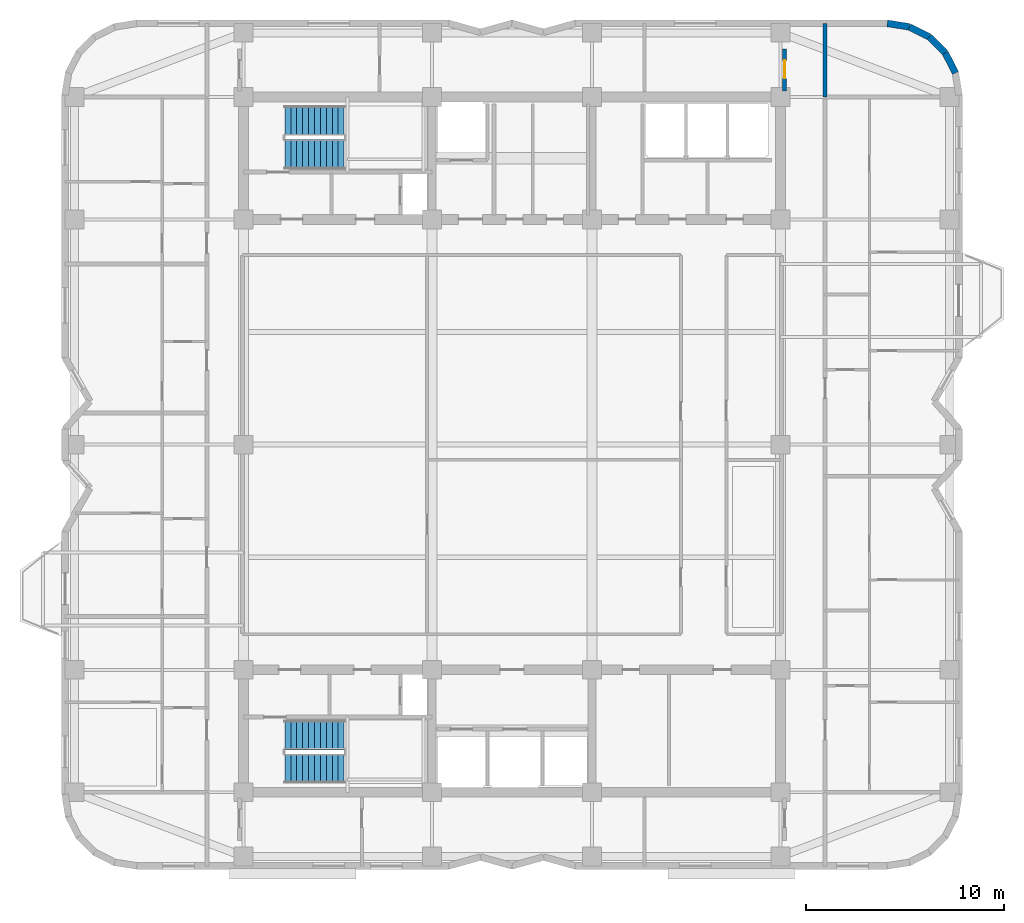
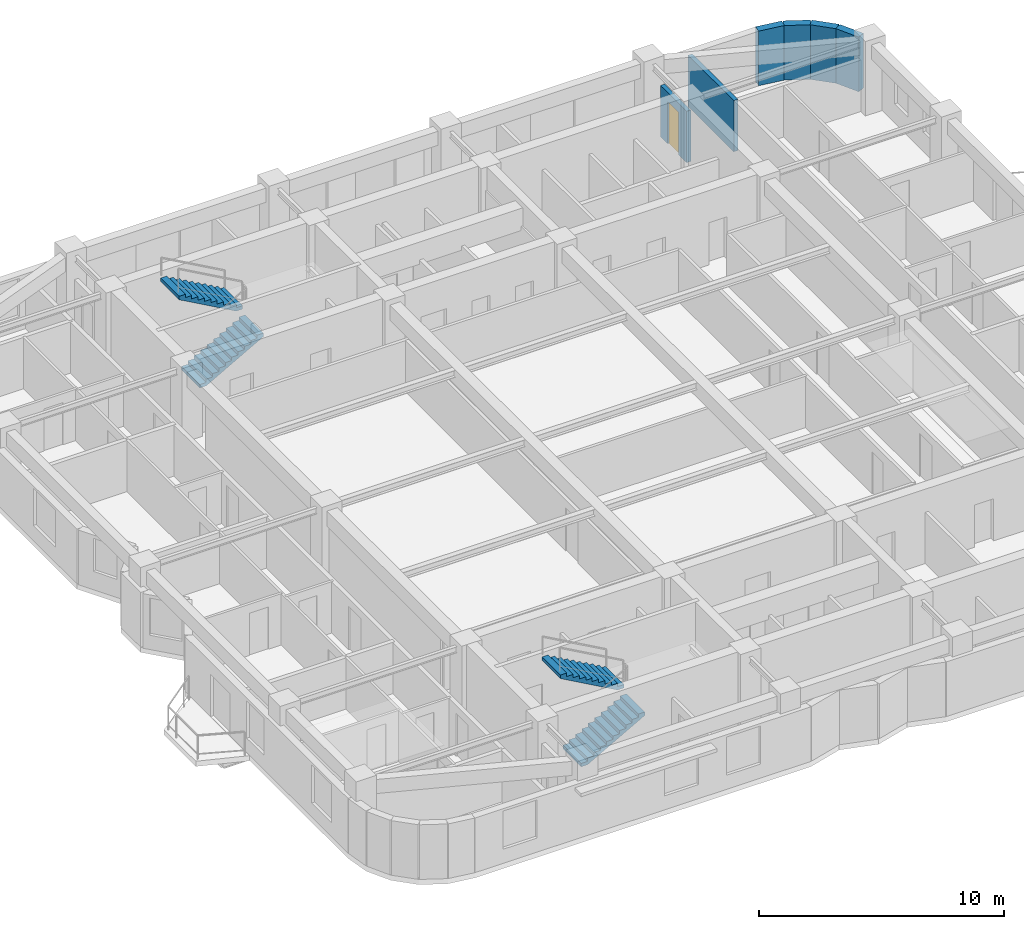
# One storey, part 7 of 9: 6 walls, 4 stair flights, 1 door, 1 opening, 2 elements without a shape of their own.
"""IFC4 building model written with IfcOpenShell, lengths in metres."""

import ifcopenshell
import ifcopenshell.guid

model = None  # the IFC model being written
_history = None  # IfcOwnerHistory: only IFC2X3 demands one
_inside = {}  # id of a spatial element -> (the spatial element, [elements in it])
_under = {}  # id of a project, library or spatial element -> (it, [spatial elements below it])
_declared = {}  # id of a project -> (the project, [libraries it declares])
_typed = {}  # id of a type object -> (the type object, [elements of that type])
_made_of = {}  # id of a material, layer set ... -> (it, [elements and type objects made of it])


def new_model(schema):
    """Start an empty IFC model of exactly this schema.

    Asked for "IFC4X3", IfcOpenShell would pick the latest addendum, in which some entities
    have other attributes; the version numbers below select the first issue.
    IFC2X3 requires an IfcOwnerHistory on every rooted entity: one is made here for all.
    """
    global model, _history
    if schema == "IFC4X3":
        model = ifcopenshell.file(schema_version=(4, 3, 0, 0))
    else:
        model = ifcopenshell.file(schema=schema)
    _inside.clear()
    _under.clear()
    _declared.clear()
    _typed.clear()
    _made_of.clear()
    _history = None
    if model.schema == "IFC2X3":
        org = make("IfcOrganization", Name="unknown")
        user = make(
            "IfcPersonAndOrganization",
            ThePerson=make("IfcPerson", FamilyName="unknown"),
            TheOrganization=org,
        )
        app = make(
            "IfcApplication",
            ApplicationDeveloper=org,
            Version="unknown",
            ApplicationFullName="unknown",
            ApplicationIdentifier="unknown",
        )
        _history = make(
            "IfcOwnerHistory",
            OwningUser=user,
            OwningApplication=app,
            ChangeAction="ADDED",
            CreationDate=0,
        )
    return model


def make(cls, **values):
    """One entity of the class cls with the attributes given. An attribute that is None is left unset."""
    return model.create_entity(
        cls, **{name: value for name, value in values.items() if value is not None}
    )


def rooted(cls, **values):
    """An entity with a GlobalId (a new one), such as an element, a storey or a relation."""
    return make(cls, GlobalId=ifcopenshell.guid.new(), OwnerHistory=_history, **values)


def si_unit(unit_type, name, prefix=None):
    """IfcSIUnit, for example si_unit("LENGTHUNIT", "METRE", prefix="MILLI")."""
    return make("IfcSIUnit", UnitType=unit_type, Prefix=prefix, Name=name)


def assignment(units):
    """IfcUnitAssignment: the units of a project."""
    return None if units is None else make("IfcUnitAssignment", Units=units)


def point(xyz):
    """IfcCartesianPoint."""
    return None if xyz is None else make("IfcCartesianPoint", Coordinates=xyz)


def direction(xyz):
    """IfcDirection."""
    return None if xyz is None else make("IfcDirection", DirectionRatios=xyz)


def frame(location, z_axis=None, x_axis=None):
    """IfcAxis2Placement3D, a coordinate frame: its origin and axes. An axis left out is left unset."""
    return make(
        "IfcAxis2Placement3D",
        Location=point(location),
        Axis=direction(z_axis),
        RefDirection=direction(x_axis),
    )


def frame_2d(location, x_axis=None):
    """IfcAxis2Placement2D, a coordinate frame in the plane: its origin and x axis."""
    return make(
        "IfcAxis2Placement2D", Location=point(location), RefDirection=direction(x_axis)
    )


def origin():
    """The frame at (0, 0, 0) with its axes left unset."""
    return frame((0.0, 0.0, 0.0))


def place(relative_to, where):
    """IfcLocalPlacement: puts the frame where relative to a parent placement (None: the world)."""
    return make(
        "IfcLocalPlacement", PlacementRelTo=relative_to, RelativePlacement=where
    )


def context(
    kind, dimensions, precision=None, world=None, true_north=None, identifier=None
):
    """IfcGeometricRepresentationContext, for example the 3D "Model" context."""
    return make(
        "IfcGeometricRepresentationContext",
        ContextIdentifier=identifier,
        ContextType=kind,
        CoordinateSpaceDimension=dimensions,
        Precision=precision,
        WorldCoordinateSystem=world,
        TrueNorth=true_north,
    )


def subcontext(parent, identifier, kind, view, scale=None):
    """IfcGeometricRepresentationSubContext, for example "Body" below "Model"."""
    return make(
        "IfcGeometricRepresentationSubContext",
        ContextIdentifier=identifier,
        ContextType=kind,
        ParentContext=parent,
        TargetScale=scale,
        TargetView=view,
    )


def project(units=None, contexts=None):
    """IfcProject with its units and contexts."""
    return rooted(
        "IfcProject",
        Name="project",
        RepresentationContexts=contexts,
        UnitsInContext=assignment(units),
    )


def spatial(cls, under=None, at=None, **own):
    """A site, building, storey or space (cls), placed at a placement, below another one or the project."""
    s = rooted(cls, ObjectPlacement=at, **own)
    if under is not None:
        _under.setdefault(under.id(), (under, []))[1].append(s)
    return s


def polyline(points):
    """IfcPolyline through the points."""
    return make("IfcPolyline", Points=[point(p) for p in points])


def profile(cls, at=None, kind="AREA", **sizes):
    """A parametric profile (cls). Its sizes go by their IFC names, for example OverallWidth=200.0."""
    return make(cls, ProfileType=kind, Position=at, **sizes)


def rectangle(**sizes):
    """IfcRectangleProfileDef."""
    return profile("IfcRectangleProfileDef", **sizes)


def outline(outer, holes=None, kind="AREA"):
    """IfcArbitraryClosedProfileDef: a profile drawn as a closed curve; with holes, ...WithVoids."""
    if holes is None:
        return make("IfcArbitraryClosedProfileDef", ProfileType=kind, OuterCurve=outer)
    return make(
        "IfcArbitraryProfileDefWithVoids",
        ProfileType=kind,
        OuterCurve=outer,
        InnerCurves=holes,
    )


def extrude(swept, where, along, depth):
    """IfcExtrudedAreaSolid: the profile swept, set in the frame where, extruded along a direction by depth."""
    return make(
        "IfcExtrudedAreaSolid",
        SweptArea=swept,
        Position=where,
        ExtrudedDirection=direction(along),
        Depth=depth,
    )


def shape(context_of_items, identifier, shape_type, items):
    """IfcShapeRepresentation: the items that make up one representation, for example the "Body"."""
    return make(
        "IfcShapeRepresentation",
        ContextOfItems=context_of_items,
        RepresentationIdentifier=identifier,
        RepresentationType=shape_type,
        Items=items,
    )


def material(Name=None, Category=None):
    """IfcMaterial."""
    return make("IfcMaterial", Name=Name, Category=Category)


def layer(
    of_material, thickness, ventilated=None, Name=None, Category=None, Priority=None
):
    """IfcMaterialLayer: one layer of a wall or slab, of a material (None: an air gap)."""
    return make(
        "IfcMaterialLayer",
        Material=of_material,
        LayerThickness=thickness,
        IsVentilated=ventilated,
        Name=Name,
        Category=Category,
        Priority=Priority,
    )


def layer_set(layers, Name=None):
    """IfcMaterialLayerSet."""
    return make("IfcMaterialLayerSet", MaterialLayers=layers, LayerSetName=Name)


def made_of(thing, what):
    """Note that an element or type object is made of a material, layer set ...; save() writes the relation."""
    if what is not None:
        _made_of.setdefault(what.id(), (what, []))[1].append(thing)
    return thing


def type_object(cls, material=None, **own):
    """A type object (cls), such as IfcWallType, which elements share."""
    return made_of(rooted(cls, **own), material)


def element(
    cls,
    number,
    at=None,
    inside=None,
    cuts=None,
    type_object=None,
    material=None,
    context=None,
    identifier="Body",
    shape_type=None,
    held_by="IfcProductDefinitionShape",
    body=None,
    shapes=None,
    **own,
):
    """One element of the class cls, such as IfcWall. Its Tag is "e" and its number.

    at: its placement. inside: the storey or other place that contains it. cuts: it is an
    opening in that element (IfcRelVoidsElement). A single representation is given by context,
    identifier, shape_type and body (its items); several are given by shapes. held_by: the class
    of the entity that holds the representations. save() writes the other relations.
    """
    e = rooted(cls, Tag="e%d" % number, ObjectPlacement=at, **own)
    if body is not None:
        shapes = [shape(context, identifier, shape_type, body)]
    if shapes is not None:
        e.Representation = make(held_by, Representations=shapes)
    if inside is not None:
        _inside.setdefault(inside.id(), (inside, []))[1].append(e)
    if cuts is not None:
        rooted(
            "IfcRelVoidsElement", RelatingBuildingElement=cuts, RelatedOpeningElement=e
        )
    if type_object is not None:
        _typed.setdefault(type_object.id(), (type_object, []))[1].append(e)
    return made_of(e, material)


def fill(opening, filler):
    """IfcRelFillsElement: the door or window that sits in an opening."""
    return rooted(
        "IfcRelFillsElement",
        RelatingOpeningElement=opening,
        RelatedBuildingElement=filler,
    )


def aggregate(whole, parts):
    """IfcRelAggregates: a whole, such as a stair, and the parts it consists of."""
    return rooted("IfcRelAggregates", RelatingObject=whole, RelatedObjects=parts)


def save(model, path):
    """Write the relations noted so far, then the file.

    IfcRelAggregates (storeys below a building ...), IfcRelContainedInSpatialStructure (elements
    in a storey), IfcRelDefinesByType, IfcRelAssociatesMaterial and IfcRelDeclares: one each for
    every whole, place, type object, material and project.
    """
    for whole, parts in _under.values():
        aggregate(whole, parts)
    for where, things in _inside.values():
        rooted(
            "IfcRelContainedInSpatialStructure",
            RelatedElements=things,
            RelatingStructure=where,
        )
    for kind, things in _typed.values():
        rooted("IfcRelDefinesByType", RelatedObjects=things, RelatingType=kind)
    for what, things in _made_of.values():
        rooted("IfcRelAssociatesMaterial", RelatedObjects=things, RelatingMaterial=what)
    for by, libraries in _declared.values():
        rooted("IfcRelDeclares", RelatingContext=by, RelatedDefinitions=libraries)
    model.write(path)


model = new_model("IFC4")

# Units and contexts
model_context = context("Model", 3, precision=1e-05, world=origin(), true_north=direction((0.0, 1.0)))
body_context = subcontext(model_context, "Body", "Model", "MODEL_VIEW")
ifc_project = project(units=[si_unit("LENGTHUNIT", "METRE"), si_unit("AREAUNIT", "SQUARE_METRE"), si_unit("VOLUMEUNIT", "CUBIC_METRE"), si_unit("PLANEANGLEUNIT", "RADIAN"), si_unit("MASSUNIT", "GRAM", prefix="KILO")], contexts=[model_context])

# Site, building, storey
site_placement = place(None, origin())
site = spatial("IfcSite", under=ifc_project, at=site_placement, CompositionType="ELEMENT")
building_placement = place(site_placement, origin())
building = spatial("IfcBuilding", under=site, at=building_placement, Name="Svetorya Sky Lyceum", CompositionType="ELEMENT")
storey_placement = place(building_placement, frame((0.0, 0.0, 166.300048828125)))
storey = spatial("IfcBuildingStorey", under=building, at=storey_placement, Name="L41", CompositionType="ELEMENT", Elevation=166.300048828125)

# Walls
ifc_material_1 = material(Name="Putilovo limestone rainscreen on autoclaved cellular masonry", Category="masonry")
ifc_layer_1 = layer(ifc_material_1, 0.340087890625)
ifc_layer_set_1 = layer_set([ifc_layer_1], Name="Putilovo limestone rainscreen on autoclaved cellular masonry")
wall_type_1 = type_object("IfcWallType", Name="WL-EXT-340", PredefinedType="SOLIDWALL", material=ifc_layer_set_1)
wall_1_placement = place(storey_placement, frame((61.65234375, 47.021728515625, 0.0), z_axis=(0.0, 0.0, 1.0), x_axis=(-0.453993402883, 0.891005044957, 0.0)))
element("IfcWall", 1, at=wall_1_placement, inside=storey, type_object=wall_type_1, Name="L41 Limestone Exterior Wall 25M", PredefinedType="SOLIDWALL", context=body_context, shape_type="SweptSolid", body=[
    extrude(rectangle(XDim=1.1357421875, YDim=0.340087890625, at=frame_2d((0.56787109375, 0.0))), origin(), (0.0, 0.0, 1.0), 2.719970703125),
])
wall_2_placement = place(storey_placement, frame((61.13671875, 48.03369140625, 0.0), z_axis=(0.0, 0.0, 1.0), x_axis=(-0.707106781187, 0.707106781187, 0.0)))
element("IfcWall", 2, at=wall_2_placement, inside=storey, type_object=wall_type_1, Name="L41 Limestone Exterior Wall 26M", PredefinedType="SOLIDWALL", context=body_context, shape_type="SweptSolid", body=[
    extrude(rectangle(XDim=1.135498046875, YDim=0.340087890625, at=frame_2d((0.56787109375, 0.0))), origin(), (0.0, 0.0, 1.0), 2.719970703125),
])
for number, where, z_axis, x_axis, name in (
    (3, (60.333740234375, 48.836669921875, 0.0), (0.0, 0.0, 1.0), (-0.891005044957, 0.453993402883, 0.0), "L41 Limestone Exterior Wall 27M"),
    (4, (59.32177734375, 49.352294921875, 0.0), (0.0, 0.0, 1.0), (-0.987680916907, 0.156481329164, 0.0), "L41 Limestone Exterior Wall 28M"),
):
    element("IfcWall", number, at=place(storey_placement, frame(where, z_axis=z_axis, x_axis=x_axis)), inside=storey, type_object=wall_type_1, Name=name, PredefinedType="SOLIDWALL", context=body_context, shape_type="SweptSolid", body=[
        extrude(rectangle(XDim=1.1357421875, YDim=0.340087890625, at=frame_2d((0.56787109375, 0.0))), origin(), (0.0, 0.0, 1.0), 2.719970703125),
    ])
ifc_material_2 = material(Name="Autoclaved cellular masonry blockwork with gypsum plaster", Category="masonry")
ifc_layer_2 = layer(ifc_material_2, 0.199951171875)
ifc_layer_set_2 = layer_set([ifc_layer_2], Name="Autoclaved cellular masonry blockwork with gypsum plaster")
wall_type_2 = type_object("IfcWallType", Name="WL-PART-200", PredefinedType="PARTITIONING", material=ifc_layer_set_2)
wall_3_placement = place(storey_placement, frame((55.050048828125, 45.800048828125, 0.0), z_axis=(0.0, 0.0, 1.0), x_axis=(0.0, 1.0, 0.0)))
element("IfcWall", 5, at=wall_3_placement, inside=storey, type_object=wall_type_2, Name="L41 Interior Partition EC-NE-END", PredefinedType="PARTITIONING", context=body_context, shape_type="SweptSolid", body=[
    extrude(rectangle(XDim=3.72998046875, YDim=0.199951171875, at=frame_2d((1.864990234375, 0.0))), origin(), (0.0, 0.0, 1.0), 2.550048828125),
])

# Wall, opening, door
wall_4_placement = place(storey_placement, frame((53.0, 46.10009765625, 0.0), z_axis=(0.0, 0.0, 1.0), x_axis=(0.0, 1.0, 0.0)))
wall_4 = element("IfcWall", 6, at=wall_4_placement, inside=storey, type_object=wall_type_2, Name="L41 Interior Partition N-EE", PredefinedType="PARTITIONING", context=body_context, shape_type="SweptSolid", body=[
    extrude(rectangle(XDim=2.1298828125, YDim=0.199951171875, at=frame_2d((1.06494140625, 0.0))), origin(), (0.0, 0.0, 1.0), 2.550048828125),
])
opening_placement = place(wall_4_placement, frame((0.64990234375, 0.0, 0.0)))
opening = element("IfcOpeningElement", 7, at=opening_placement, cuts=wall_4, Name="Opening D-RM1", PredefinedType="OPENING", context=body_context, shape_type="SweptSolid", body=[
    extrude(rectangle(XDim=0.89990234375, YDim=2.10009765625, at=frame_2d((0.449951171875, 1.050048828125))), frame((0.0, 0.10986328125, 0.0), z_axis=(0.0, -1.0, 0.0), x_axis=(1.0, 0.0, 0.0)), (0.0, 0.0, 1.0), 0.219970703125),
])
ifc_material_3 = material(Name="Lacquered birch veneer internal door")
door_type = type_object("IfcDoorType", Name="DR-INT-900", OperationType="SINGLE_SWING_LEFT", PredefinedType="DOOR", material=ifc_material_3)
door_placement = place(opening_placement, origin())
door = element("IfcDoor", 8, at=door_placement, inside=storey, type_object=door_type, Name="L41 North Meeting Door", OperationType="SINGLE_SWING_LEFT", OverallHeight=2.10009765625, OverallWidth=0.89990234375, PredefinedType="DOOR", context=body_context, shape_type="SweptSolid", body=[
    extrude(rectangle(XDim=0.89990234375, YDim=2.10009765625, at=frame_2d((0.449951171875, 1.050048828125))), frame((0.0, 0.02490234375, 0.0), z_axis=(0.0, -1.0, 0.0), x_axis=(1.0, 0.0, 0.0)), (0.0, 0.0, 1.0), 0.050048828125),
])
fill(opening, door)

# Stair, stair flights
ifc_material_4 = material(Name="Concrete C40/50", Category="concrete")
stair_type_1 = type_object("IfcStairType", Name="STR-ST-N", PredefinedType="HALF_TURN_STAIR", material=ifc_material_4)
stair_1_placement = place(storey_placement, origin())
stair_1 = element("IfcStair", 9, at=stair_1_placement, inside=storey, type_object=stair_type_1, Name="L41 North Core Smoke-Free Exit Stair N3", PredefinedType="HALF_TURN_STAIR")
stair_flight_type_1 = type_object("IfcStairFlightType", Name="SFL-ST-N", PredefinedType="STRAIGHT", material=ifc_material_4)
stair_flight_1_placement = place(storey_placement, frame((27.699951171875, 42.89990234375, 0.0), z_axis=(0.0, 0.0, 1.0), x_axis=(1.0, 0.0, 0.0)))
stair_flight_1 = element("IfcStairFlight", 10, at=stair_flight_1_placement, type_object=stair_flight_type_1, Name="ST-N flight 1", NumberOfRisers=11, NumberOfTreads=10, PredefinedType="STRAIGHT", RiserHeight=0.168181818, TreadLength=0.3, context=body_context, shape_type="SweptSolid", body=[
    extrude(outline(polyline([(0.0, 0.0), (0.0, 0.168212890625), (0.300048828125, 0.168212890625), (0.300048828125, 0.33642578125), (0.60009765625, 0.33642578125), (0.60009765625, 0.504638671875), (0.89990234375, 0.504638671875), (0.89990234375, 0.672607421875), (1.199951171875, 0.672607421875), (1.199951171875, 0.8408203125), (1.5, 0.8408203125), (1.5, 1.009033203125), (1.800048828125, 1.009033203125), (1.800048828125, 1.17724609375), (2.10009765625, 1.17724609375), (2.10009765625, 1.345458984375), (2.39990234375, 1.345458984375), (2.39990234375, 1.513671875), (2.699951171875, 1.513671875), (2.699951171875, 1.681884765625), (3.0, 1.681884765625), (3.0, 1.85009765625), (3.0, 1.510009765625), (0.306640625, 0.0), (0.0, 0.0)])), frame((0.0, 0.75, 0.0), z_axis=(0.0, -1.0, 0.0), x_axis=(1.0, 0.0, 0.0)), (0.0, 0.0, 1.0), 1.5),
])
stair_flight_2_placement = place(storey_placement, frame((30.699951171875, 44.60009765625, 1.849853515625), z_axis=(0.0, 0.0, 1.0), x_axis=(-1.0, 0.0, 0.0)))
stair_flight_2 = element("IfcStairFlight", 11, at=stair_flight_2_placement, type_object=stair_flight_type_1, Name="ST-N flight 2", NumberOfRisers=11, NumberOfTreads=10, PredefinedType="STRAIGHT", RiserHeight=0.168181818, TreadLength=0.3, context=body_context, shape_type="SweptSolid", body=[
    extrude(outline(polyline([(0.0, 0.0), (0.0, 0.168212890625), (0.300048828125, 0.168212890625), (0.300048828125, 0.33642578125), (0.60009765625, 0.33642578125), (0.60009765625, 0.504638671875), (0.89990234375, 0.504638671875), (0.89990234375, 0.672607421875), (1.199951171875, 0.672607421875), (1.199951171875, 0.8408203125), (1.5, 0.8408203125), (1.5, 1.009033203125), (1.800048828125, 1.009033203125), (1.800048828125, 1.17724609375), (2.10009765625, 1.17724609375), (2.10009765625, 1.345458984375), (2.39990234375, 1.345458984375), (2.39990234375, 1.513671875), (2.699951171875, 1.513671875), (2.699951171875, 1.681884765625), (3.0, 1.681884765625), (3.0, 1.85009765625), (3.0, 1.510009765625), (0.306640625, 0.0), (0.0, 0.0)])), frame((0.0, 0.75, 0.0), z_axis=(0.0, -1.0, 0.0), x_axis=(1.0, 0.0, 0.0)), (0.0, 0.0, 1.0), 1.5),
])
aggregate(stair_1, [stair_flight_1, stair_flight_2])

stair_type_2 = type_object("IfcStairType", Name="STR-ST-S", PredefinedType="HALF_TURN_STAIR", material=ifc_material_4)
stair_2_placement = place(storey_placement, origin())
stair_2 = element("IfcStair", 12, at=stair_2_placement, inside=storey, type_object=stair_type_2, Name="L41 South Core Smoke-Free Exit Stair N2", PredefinedType="HALF_TURN_STAIR")
stair_flight_type_2 = type_object("IfcStairFlightType", Name="SFL-ST-S", PredefinedType="STRAIGHT", material=ifc_material_4)
stair_flight_3_placement = place(storey_placement, frame((27.699951171875, 11.800048828125, 0.0), z_axis=(0.0, 0.0, 1.0), x_axis=(1.0, 0.0, 0.0)))
stair_flight_3 = element("IfcStairFlight", 13, at=stair_flight_3_placement, type_object=stair_flight_type_2, Name="ST-S flight 1", NumberOfRisers=11, NumberOfTreads=10, PredefinedType="STRAIGHT", RiserHeight=0.168181818, TreadLength=0.3, context=body_context, shape_type="SweptSolid", body=[
    extrude(outline(polyline([(0.0, 0.0), (0.0, 0.168212890625), (0.300048828125, 0.168212890625), (0.300048828125, 0.33642578125), (0.60009765625, 0.33642578125), (0.60009765625, 0.504638671875), (0.89990234375, 0.504638671875), (0.89990234375, 0.672607421875), (1.199951171875, 0.672607421875), (1.199951171875, 0.8408203125), (1.5, 0.8408203125), (1.5, 1.009033203125), (1.800048828125, 1.009033203125), (1.800048828125, 1.17724609375), (2.10009765625, 1.17724609375), (2.10009765625, 1.345458984375), (2.39990234375, 1.345458984375), (2.39990234375, 1.513671875), (2.699951171875, 1.513671875), (2.699951171875, 1.681884765625), (3.0, 1.681884765625), (3.0, 1.85009765625), (3.0, 1.510009765625), (0.306640625, 0.0), (0.0, 0.0)])), frame((0.0, 0.75, 0.0), z_axis=(0.0, -1.0, 0.0), x_axis=(1.0, 0.0, 0.0)), (0.0, 0.0, 1.0), 1.5),
])
stair_flight_4_placement = place(storey_placement, frame((30.699951171875, 13.5, 1.849853515625), z_axis=(0.0, 0.0, 1.0), x_axis=(-1.0, 0.0, 0.0)))
stair_flight_4 = element("IfcStairFlight", 14, at=stair_flight_4_placement, type_object=stair_flight_type_2, Name="ST-S flight 2", NumberOfRisers=11, NumberOfTreads=10, PredefinedType="STRAIGHT", RiserHeight=0.168181818, TreadLength=0.3, context=body_context, shape_type="SweptSolid", body=[
    extrude(outline(polyline([(0.0, 0.0), (0.0, 0.168212890625), (0.300048828125, 0.168212890625), (0.300048828125, 0.33642578125), (0.60009765625, 0.33642578125), (0.60009765625, 0.504638671875), (0.89990234375, 0.504638671875), (0.89990234375, 0.672607421875), (1.199951171875, 0.672607421875), (1.199951171875, 0.8408203125), (1.5, 0.8408203125), (1.5, 1.009033203125), (1.800048828125, 1.009033203125), (1.800048828125, 1.17724609375), (2.10009765625, 1.17724609375), (2.10009765625, 1.345458984375), (2.39990234375, 1.345458984375), (2.39990234375, 1.513671875), (2.699951171875, 1.513671875), (2.699951171875, 1.681884765625), (3.0, 1.681884765625), (3.0, 1.85009765625), (3.0, 1.510009765625), (0.306640625, 0.0), (0.0, 0.0)])), frame((0.0, 0.75, 0.0), z_axis=(0.0, -1.0, 0.0), x_axis=(1.0, 0.0, 0.0)), (0.0, 0.0, 1.0), 1.5),
])
aggregate(stair_2, [stair_flight_3, stair_flight_4])

save(model, "model.ifc")
